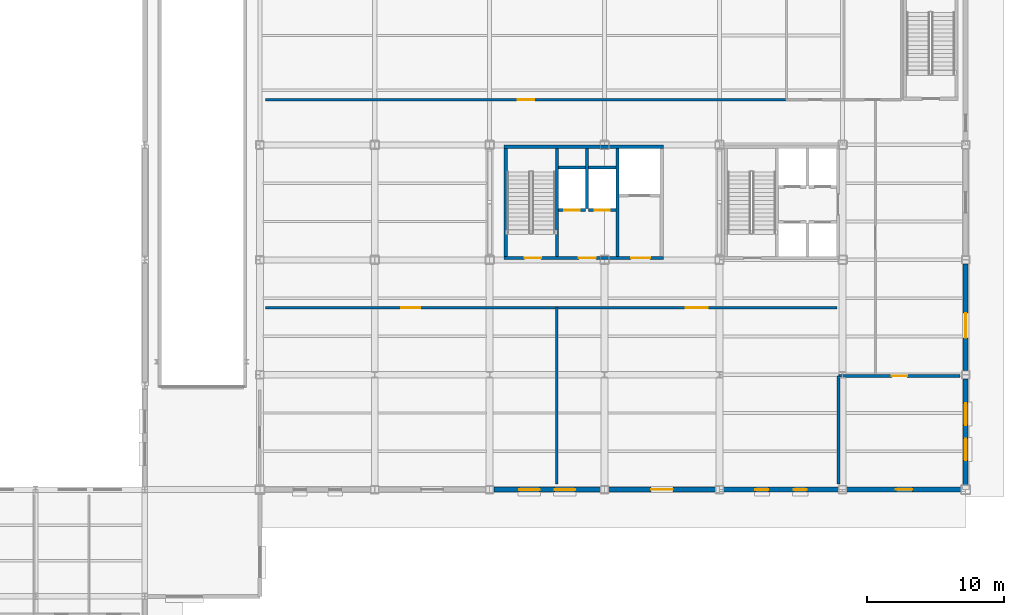
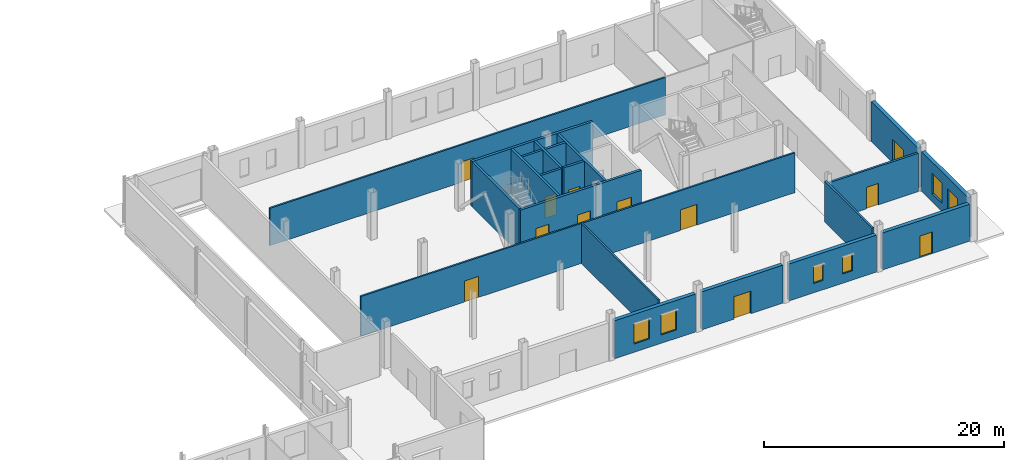
# One storey, part 58 of 82: 22 walls, 12 doors, 6 windows, 18 openings.
"""IFC4 building model written with IfcOpenShell, lengths in metres."""

from ifc_helpers import new_model, si_unit, direction, frame, frame_2d, origin, place, context, subcontext, project, spatial, rectangle, extrude, material, layer, layer_set, type_object, element, fill, save


model = new_model("IFC4")

# Units and contexts
model_context = context("Model", 3, precision=1e-05, world=origin(), true_north=direction((0.0, 1.0)))
body_context = subcontext(model_context, "Body", "Model", "MODEL_VIEW")
ifc_project = project(units=[si_unit("LENGTHUNIT", "METRE"), si_unit("AREAUNIT", "SQUARE_METRE"), si_unit("VOLUMEUNIT", "CUBIC_METRE"), si_unit("PLANEANGLEUNIT", "RADIAN"), si_unit("MASSUNIT", "GRAM", prefix="KILO")], contexts=[model_context])

# Site, building, storey
site_placement = place(None, origin())
site = spatial("IfcSite", under=ifc_project, at=site_placement, CompositionType="ELEMENT")
building_placement = place(site_placement, origin())
building = spatial("IfcBuilding", under=site, at=building_placement, Name="Yukiwa Park Conservatory and Herbarium", CompositionType="ELEMENT")
storey_placement = place(building_placement, origin())
storey = spatial("IfcBuildingStorey", under=building, at=storey_placement, Name="L00", CompositionType="ELEMENT", Elevation=0.0)

# Walls
ifc_material_1 = material(Name="Concrete C40", Category="concrete")
ifc_layer_1 = layer(ifc_material_1, 0.219970703125)
ifc_layer_set_1 = layer_set([ifc_layer_1], Name="Concrete C40")
wall_type_1 = type_object("IfcWallType", Name="WL-CORE-RC220", PredefinedType="SHEAR", material=ifc_layer_set_1)
wall_1_placement = place(storey_placement, frame((138.110107421875, 95.050048828125, 0.0), z_axis=(0.0, 0.0, 1.0), x_axis=(0.0, 1.0, 0.0)))
element("IfcWall", 1, at=wall_1_placement, inside=storey, type_object=wall_type_1, Name="L00 core shear wall 73", PredefinedType="SHEAR", context=body_context, shape_type="SweptSolid", body=[
    extrude(rectangle(XDim=7.89990234375, YDim=0.219970703125, at=frame_2d((3.949951171875, 0.0))), origin(), (0.0, 0.0, 1.0), 4.56005859375),
])
wall_2_placement = place(storey_placement, frame((140.330078125, 98.5400390625, 0.0), z_axis=(0.0, 0.0, 1.0), x_axis=(0.0, 1.0, 0.0)))
element("IfcWall", 2, at=wall_2_placement, inside=storey, type_object=wall_type_1, Name="L00 core shear wall 74", PredefinedType="SHEAR", context=body_context, shape_type="SweptSolid", body=[
    extrude(rectangle(XDim=4.409912109375, YDim=0.219970703125, at=frame_2d((2.205078125, 0.0))), origin(), (0.0, 0.0, 1.0), 4.56005859375),
])
wall_3_placement = place(storey_placement, frame((142.550048828125, 95.050048828125, 0.0), z_axis=(0.0, 0.0, 1.0), x_axis=(0.0, 1.0, 0.0)))
element("IfcWall", 3, at=wall_3_placement, inside=storey, type_object=wall_type_1, Name="L00 core shear wall 75", PredefinedType="SHEAR", context=body_context, shape_type="SweptSolid", body=[
    extrude(rectangle(XDim=7.89990234375, YDim=0.219970703125, at=frame_2d((3.949951171875, 0.0))), origin(), (0.0, 0.0, 1.0), 4.56005859375),
])

# Wall, opening, door
wall_4_placement = place(storey_placement, frame((138.219970703125, 98.429931640625, 0.0), z_axis=(0.0, 0.0, 1.0), x_axis=(1.0, 0.0, 0.0)))
wall_4 = element("IfcWall", 4, at=wall_4_placement, inside=storey, type_object=wall_type_1, Name="L00 core shear wall 77", PredefinedType="SHEAR", context=body_context, shape_type="SweptSolid", body=[
    extrude(rectangle(XDim=2.0, YDim=0.219970703125, at=frame_2d((1.0, 0.0))), origin(), (0.0, 0.0, 1.0), 4.56005859375),
])
opening_1_placement = place(wall_4_placement, frame((0.449951171875, 0.0, 0.0)))
opening_1 = element("IfcOpeningElement", 5, at=opening_1_placement, cuts=wall_4, Name="Opening LD-01", PredefinedType="OPENING", context=body_context, shape_type="SweptSolid", body=[
    extrude(rectangle(XDim=1.10009765625, YDim=2.14990234375, at=frame_2d((0.550048828125, 1.074951171875))), frame((0.0, 0.1201171875, 0.0), z_axis=(0.0, -1.0, 0.0), x_axis=(1.0, 0.0, 0.0)), (0.0, 0.0, 1.0), 0.239990234375),
])
ifc_material_2 = material(Name="Steel Q235B", Category="steel")
door_type_1 = type_object("IfcDoorType", Name="DR-LIFT-LD1100", OperationType="SLIDING_TO_LEFT", PredefinedType="DOOR", material=ifc_material_2)
door_1_placement = place(opening_1_placement, origin())
door_1 = element("IfcDoor", 6, at=door_1_placement, inside=storey, type_object=door_type_1, Name="L00 Firefighting Lift FL1 sliding landing door", OperationType="SLIDING_TO_LEFT", OverallHeight=2.14990234375, OverallWidth=1.10009765625, PredefinedType="DOOR", context=body_context, shape_type="SweptSolid", body=[
    extrude(rectangle(XDim=1.10009765625, YDim=2.14990234375, at=frame_2d((0.550048828125, 1.074951171875))), frame((0.0, 0.02490234375, 0.0), z_axis=(0.0, -1.0, 0.0), x_axis=(1.0, 0.0, 0.0)), (0.0, 0.0, 1.0), 0.050048828125),
])
fill(opening_1, door_1)

wall_5_placement = place(storey_placement, frame((140.43994140625, 98.429931640625, 0.0), z_axis=(0.0, 0.0, 1.0), x_axis=(1.0, 0.0, 0.0)))
wall_5 = element("IfcWall", 7, at=wall_5_placement, inside=storey, type_object=wall_type_1, Name="L00 core shear wall 78", PredefinedType="SHEAR", context=body_context, shape_type="SweptSolid", body=[
    extrude(rectangle(XDim=2.0, YDim=0.219970703125, at=frame_2d((1.0, 0.0))), origin(), (0.0, 0.0, 1.0), 4.56005859375),
])
opening_2_placement = place(wall_5_placement, frame((0.449951171875, 0.0, 0.0)))
opening_2 = element("IfcOpeningElement", 8, at=opening_2_placement, cuts=wall_5, Name="Opening LD-01", PredefinedType="OPENING", context=body_context, shape_type="SweptSolid", body=[
    extrude(rectangle(XDim=1.10009765625, YDim=2.14990234375, at=frame_2d((0.550048828125, 1.074951171875))), frame((0.0, 0.1201171875, 0.0), z_axis=(0.0, -1.0, 0.0), x_axis=(1.0, 0.0, 0.0)), (0.0, 0.0, 1.0), 0.239990234375),
])
door_2_placement = place(opening_2_placement, origin())
door_2 = element("IfcDoor", 9, at=door_2_placement, inside=storey, type_object=door_type_1, Name="L00 Firefighting Lift FL2 sliding landing door", OperationType="SLIDING_TO_LEFT", OverallHeight=2.14990234375, OverallWidth=1.10009765625, PredefinedType="DOOR", context=body_context, shape_type="SweptSolid", body=[
    extrude(rectangle(XDim=1.10009765625, YDim=2.14990234375, at=frame_2d((0.550048828125, 1.074951171875))), frame((0.0, 0.02490234375, 0.0), z_axis=(0.0, -1.0, 0.0), x_axis=(1.0, 0.0, 0.0)), (0.0, 0.0, 1.0), 0.050048828125),
])
fill(opening_2, door_2)

# Walls
for number, where, z_axis, x_axis, name in (
    (10, (138.219970703125, 101.550048828125, 0.0), (0.0, 0.0, 1.0), (1.0, 0.0, 0.0), "L00 core shear wall 79"),
    (11, (140.43994140625, 101.550048828125, 0.0), (0.0, 0.0, 1.0), (1.0, 0.0, 0.0), "L00 core shear wall 80"),
):
    element("IfcWall", number, at=place(storey_placement, frame(where, z_axis=z_axis, x_axis=x_axis)), inside=storey, type_object=wall_type_1, Name=name, PredefinedType="SHEAR", context=body_context, shape_type="SweptSolid", body=[
        extrude(rectangle(XDim=2.0, YDim=0.219970703125, at=frame_2d((1.0, 0.0))), origin(), (0.0, 0.0, 1.0), 4.56005859375),
    ])

# Wall, openings, doors
ifc_material_3 = material(Name="Concrete C50", Category="concrete")
ifc_layer_2 = layer(ifc_material_3, 0.239990234375)
ifc_layer_set_2 = layer_set([ifc_layer_2], Name="Concrete C50")
wall_type_2 = type_object("IfcWallType", Name="WL-CORE-RC240", PredefinedType="SHEAR", material=ifc_layer_set_2)
wall_6_placement = place(storey_placement, frame((134.25, 94.929931640625, 0.0), z_axis=(0.0, 0.0, 1.0), x_axis=(1.0, 0.0, 0.0)))
wall_6 = element("IfcWall", 12, at=wall_6_placement, inside=storey, type_object=wall_type_2, Name="L00 core shear wall 70", PredefinedType="SHEAR", context=body_context, shape_type="SweptSolid", body=[
    extrude(rectangle(XDim=11.64990234375, YDim=0.239990234375, at=frame_2d((5.824951171875, 0.0))), origin(), (0.0, 0.0, 1.0), 4.56005859375),
])
opening_3_placement = place(wall_6_placement, frame((1.5, 0.0, 0.0)))
opening_3 = element("IfcOpeningElement", 13, at=opening_3_placement, cuts=wall_6, Name="Opening SD-01", PredefinedType="OPENING", context=body_context, shape_type="SweptSolid", body=[
    extrude(rectangle(XDim=1.219970703125, YDim=2.179931640625, at=frame_2d((0.60986328125, 1.08984375))), frame((0.0, 0.1298828125, 0.0), z_axis=(0.0, -1.0, 0.0), x_axis=(1.0, 0.0, 0.0)), (0.0, 0.0, 1.0), 0.260009765625),
])
opening_4_placement = place(wall_6_placement, frame((5.47998046875, 0.0, 0.0)))
opening_4 = element("IfcOpeningElement", 14, at=opening_4_placement, cuts=wall_6, Name="Opening FD-02", PredefinedType="OPENING", context=body_context, shape_type="SweptSolid", body=[
    extrude(rectangle(XDim=1.239990234375, YDim=2.14990234375, at=frame_2d((0.6201171875, 1.074951171875))), frame((0.0, 0.1298828125, 0.0), z_axis=(0.0, -1.0, 0.0), x_axis=(1.0, 0.0, 0.0)), (0.0, 0.0, 1.0), 0.260009765625),
])
opening_5_placement = place(wall_6_placement, frame((9.300048828125, 0.0, 0.0)))
opening_5 = element("IfcOpeningElement", 15, at=opening_5_placement, cuts=wall_6, Name="Opening FD-06", PredefinedType="OPENING", context=body_context, shape_type="SweptSolid", body=[
    extrude(rectangle(XDim=1.3798828125, YDim=2.14990234375, at=frame_2d((0.68994140625, 1.074951171875))), frame((0.0, 0.1298828125, 0.0), z_axis=(0.0, -1.0, 0.0), x_axis=(1.0, 0.0, 0.0)), (0.0, 0.0, 1.0), 0.260009765625),
])
ifc_material_4 = material(Name="Steel Q235B", Category="steel")
door_type_2 = type_object("IfcDoorType", Name="DR-FIRE-FD60-1400", OperationType="DOUBLE_DOOR_SINGLE_SWING", PredefinedType="DOOR", material=ifc_material_4)
door_3_placement = place(opening_5_placement, frame((1.3798828125, 0.0, 0.0), z_axis=(0.0, 0.0, 1.0), x_axis=(-1.0, 0.0, 0.0)))
door_3 = element("IfcDoor", 16, at=door_3_placement, inside=storey, type_object=door_type_2, Name="L00 Goods Lift Lobby double fire door", OperationType="DOUBLE_DOOR_SINGLE_SWING", OverallHeight=2.14990234375, OverallWidth=1.3798828125, PredefinedType="DOOR", context=body_context, shape_type="SweptSolid", body=[
    extrude(rectangle(XDim=1.3798828125, YDim=2.14990234375, at=frame_2d((0.68994140625, 1.074951171875))), frame((0.0, 0.02490234375, 0.0), z_axis=(0.0, -1.0, 0.0), x_axis=(1.0, 0.0, 0.0)), (0.0, 0.0, 1.0), 0.050048828125),
])
fill(opening_5, door_3)
ifc_material_5 = material(Name="Steel Q235B", Category="steel")
door_type_3 = type_object("IfcDoorType", Name="DR-FIRE-FD90-1200", OperationType="SINGLE_SWING_RIGHT", PredefinedType="DOOR", material=ifc_material_5)
door_4_placement = place(opening_4_placement, frame((1.239990234375, 0.0, 0.0), z_axis=(0.0, 0.0, 1.0), x_axis=(-1.0, 0.0, 0.0)))
door_4 = element("IfcDoor", 17, at=door_4_placement, inside=storey, type_object=door_type_3, Name="L00 Firefighting Lift Lobby fire door", OperationType="SINGLE_SWING_RIGHT", OverallHeight=2.14990234375, OverallWidth=1.239990234375, PredefinedType="DOOR", context=body_context, shape_type="SweptSolid", body=[
    extrude(rectangle(XDim=1.239990234375, YDim=2.14990234375, at=frame_2d((0.6201171875, 1.074951171875))), frame((0.0, 0.02490234375, 0.0), z_axis=(0.0, -1.0, 0.0), x_axis=(1.0, 0.0, 0.0)), (0.0, 0.0, 1.0), 0.050048828125),
])
fill(opening_4, door_4)
ifc_material_6 = material(Name="Steel Q235B", Category="steel")
door_type_4 = type_object("IfcDoorType", Name="DR-STAIR-FD90-1200", OperationType="SINGLE_SWING_LEFT", PredefinedType="DOOR", material=ifc_material_6)
door_5_placement = place(opening_3_placement, origin())
door_5 = element("IfcDoor", 18, at=door_5_placement, inside=storey, type_object=door_type_4, Name="L00 Stairwell ST-T1 fire door", OperationType="SINGLE_SWING_LEFT", OverallHeight=2.179931640625, OverallWidth=1.219970703125, PredefinedType="DOOR", context=body_context, shape_type="SweptSolid", body=[
    extrude(rectangle(XDim=1.219970703125, YDim=2.179931640625, at=frame_2d((0.60986328125, 1.08984375))), frame((0.0, 0.02490234375, 0.0), z_axis=(0.0, -1.0, 0.0), x_axis=(1.0, 0.0, 0.0)), (0.0, 0.0, 1.0), 0.050048828125),
])
fill(opening_3, door_5)

# Walls
wall_7_placement = place(storey_placement, frame((134.25, 103.070068359375, 0.0), z_axis=(0.0, 0.0, 1.0), x_axis=(1.0, 0.0, 0.0)))
element("IfcWall", 19, at=wall_7_placement, inside=storey, type_object=wall_type_2, Name="L00 core shear wall 71", PredefinedType="SHEAR", context=body_context, shape_type="SweptSolid", body=[
    extrude(rectangle(XDim=11.64990234375, YDim=0.239990234375, at=frame_2d((5.824951171875, 0.0))), origin(), (0.0, 0.0, 1.0), 4.56005859375),
])
wall_8_placement = place(storey_placement, frame((134.3701171875, 95.050048828125, 0.0), z_axis=(0.0, 0.0, 1.0), x_axis=(0.0, 1.0, 0.0)))
element("IfcWall", 20, at=wall_8_placement, inside=storey, type_object=wall_type_2, Name="L00 core shear wall 72", PredefinedType="SHEAR", context=body_context, shape_type="SweptSolid", body=[
    extrude(rectangle(XDim=7.89990234375, YDim=0.239990234375, at=frame_2d((3.949951171875, 0.0))), origin(), (0.0, 0.0, 1.0), 4.56005859375),
])

# Wall, openings, windows
ifc_material_7 = material(Name="Pale Granite Cladding", Category="masonry")
ifc_layer_3 = layer(ifc_material_7, 0.360107421875)
ifc_layer_set_3 = layer_set([ifc_layer_3], Name="Pale Granite Cladding")
wall_type_3 = type_object("IfcWallType", Name="WL-EXT-PLINTH-360", PredefinedType="SOLIDWALL", material=ifc_layer_set_3)
wall_9_placement = place(storey_placement, frame((133.5, 78.0, 0.0), z_axis=(0.0, 0.0, 1.0), x_axis=(1.0, 0.0, 0.0)))
wall_9 = element("IfcWall", 21, at=wall_9_placement, inside=storey, type_object=wall_type_3, Name="L00 exterior envelope wall 103", PredefinedType="SOLIDWALL", context=body_context, shape_type="SweptSolid", body=[
    extrude(rectangle(XDim=7.800048828125, YDim=0.360107421875, at=frame_2d((3.89990234375, 0.0))), origin(), (0.0, 0.0, 1.0), 3.867919921875),
])
opening_6_placement = place(wall_9_placement, frame((1.85009765625, 0.0, 0.85009765625)))
opening_6 = element("IfcOpeningElement", 22, at=opening_6_placement, cuts=wall_9, Name="Opening W-05", PredefinedType="OPENING", context=body_context, shape_type="SweptSolid", body=[
    extrude(rectangle(XDim=1.5, YDim=2.10009765625, at=frame_2d((0.75, 1.050048828125))), frame((0.0, 0.18994140625, 0.0), z_axis=(0.0, -1.0, 0.0), x_axis=(1.0, 0.0, 0.0)), (0.0, 0.0, 1.0), 0.380126953125),
])
opening_7_placement = place(wall_9_placement, frame((4.449951171875, 0.0, 0.85009765625)))
opening_7 = element("IfcOpeningElement", 23, at=opening_7_placement, cuts=wall_9, Name="Opening W-05", PredefinedType="OPENING", context=body_context, shape_type="SweptSolid", body=[
    extrude(rectangle(XDim=1.5, YDim=2.10009765625, at=frame_2d((0.75, 1.050048828125))), frame((0.0, 0.18994140625, 0.0), z_axis=(0.0, -1.0, 0.0), x_axis=(1.0, 0.0, 0.0)), (0.0, 0.0, 1.0), 0.380126953125),
])
ifc_material_8 = material(Name="Triple Low-E Insulated Glass", Category="glass")
window_type_1 = type_object("IfcWindowType", Name="WN-TW-1500X2100", PartitioningType="SINGLE_PANEL", PredefinedType="WINDOW", material=ifc_material_8)
window_1_placement = place(opening_6_placement, origin())
window_1 = element("IfcWindow", 24, at=window_1_placement, inside=storey, type_object=window_type_1, Name="L00 deep-reveal triple-glazed window 7", OverallHeight=2.10009765625, OverallWidth=1.5, PartitioningType="SINGLE_PANEL", PredefinedType="WINDOW", context=body_context, shape_type="SweptSolid", body=[
    extrude(rectangle(XDim=1.5, YDim=2.10009765625, at=frame_2d((0.75, 1.050048828125))), frame((0.0, 0.030029296875, 0.0), z_axis=(0.0, -1.0, 0.0), x_axis=(1.0, 0.0, 0.0)), (0.0, 0.0, 1.0), 0.06005859375),
])
fill(opening_6, window_1)
window_2_placement = place(opening_7_placement, origin())
window_2 = element("IfcWindow", 25, at=window_2_placement, inside=storey, type_object=window_type_1, Name="L00 deep-reveal triple-glazed window 8", OverallHeight=2.10009765625, OverallWidth=1.5, PartitioningType="SINGLE_PANEL", PredefinedType="WINDOW", context=body_context, shape_type="SweptSolid", body=[
    extrude(rectangle(XDim=1.5, YDim=2.10009765625, at=frame_2d((0.75, 1.050048828125))), frame((0.0, 0.030029296875, 0.0), z_axis=(0.0, -1.0, 0.0), x_axis=(1.0, 0.0, 0.0)), (0.0, 0.0, 1.0), 0.06005859375),
])
fill(opening_7, window_2)

# Wall, opening, door
wall_10_placement = place(storey_placement, frame((141.89990234375, 78.0, 0.0), z_axis=(0.0, 0.0, 1.0), x_axis=(1.0, 0.0, 0.0)))
wall_10 = element("IfcWall", 26, at=wall_10_placement, inside=storey, type_object=wall_type_3, Name="L00 exterior envelope wall 104", PredefinedType="SOLIDWALL", context=body_context, shape_type="SweptSolid", body=[
    extrude(rectangle(XDim=7.800048828125, YDim=0.360107421875, at=frame_2d((3.89990234375, 0.0))), origin(), (0.0, 0.0, 1.0), 3.867919921875),
])
opening_8_placement = place(wall_10_placement, frame((3.10009765625, 0.0, 0.0)))
opening_8 = element("IfcOpeningElement", 27, at=opening_8_placement, cuts=wall_10, Name="Opening EX-D2", PredefinedType="OPENING", context=body_context, shape_type="SweptSolid", body=[
    extrude(rectangle(XDim=1.60009765625, YDim=2.300048828125, at=frame_2d((0.800048828125, 1.14990234375))), frame((0.0, 0.18994140625, 0.0), z_axis=(0.0, -1.0, 0.0), x_axis=(1.0, 0.0, 0.0)), (0.0, 0.0, 1.0), 0.380126953125),
])
ifc_material_9 = material(Name="Anodised Aluminium", Category="aluminium")
door_type_5 = type_object("IfcDoorType", Name="DR-EXT-1600X2300", OperationType="DOUBLE_DOOR_SINGLE_SWING", PredefinedType="DOOR", material=ifc_material_9)
door_6_placement = place(opening_8_placement, frame((1.60009765625, 0.0, 0.0), z_axis=(0.0, 0.0, 1.0), x_axis=(-1.0, 0.0, 0.0)))
door_6 = element("IfcDoor", 28, at=door_6_placement, inside=storey, type_object=door_type_5, Name="Botanical Cafe South terrace entrance EX-20", OperationType="DOUBLE_DOOR_SINGLE_SWING", OverallHeight=2.300048828125, OverallWidth=1.60009765625, PredefinedType="DOOR", context=body_context, shape_type="SweptSolid", body=[
    extrude(rectangle(XDim=1.60009765625, YDim=2.300048828125, at=frame_2d((0.800048828125, 1.14990234375))), frame((0.0, 0.02490234375, 0.0), z_axis=(0.0, -1.0, 0.0), x_axis=(1.0, 0.0, 0.0)), (0.0, 0.0, 1.0), 0.050048828125),
])
fill(opening_8, door_6)

# Wall, openings, windows
wall_11_placement = place(storey_placement, frame((150.300048828125, 78.0, 0.0), z_axis=(0.0, 0.0, 1.0), x_axis=(1.0, 0.0, 0.0)))
wall_11 = element("IfcWall", 29, at=wall_11_placement, inside=storey, type_object=wall_type_3, Name="L00 exterior envelope wall 105", PredefinedType="SOLIDWALL", context=body_context, shape_type="SweptSolid", body=[
    extrude(rectangle(XDim=8.39990234375, YDim=0.360107421875, at=frame_2d((4.199951171875, 0.0))), origin(), (0.0, 0.0, 1.0), 3.76806640625),
])
opening_9_placement = place(wall_11_placement, frame((2.324951171875, 0.0, 0.949951171875)))
opening_9 = element("IfcOpeningElement", 30, at=opening_9_placement, cuts=wall_11, Name="Opening W-21", PredefinedType="OPENING", context=body_context, shape_type="SweptSolid", body=[
    extrude(rectangle(XDim=0.949951171875, YDim=1.75, at=frame_2d((0.47509765625, 0.875))), frame((0.0, 0.18994140625, 0.0), z_axis=(0.0, -1.0, 0.0), x_axis=(1.0, 0.0, 0.0)), (0.0, 0.0, 1.0), 0.380126953125),
])
opening_10_placement = place(wall_11_placement, frame((5.125, 0.0, 0.949951171875)))
opening_10 = element("IfcOpeningElement", 31, at=opening_10_placement, cuts=wall_11, Name="Opening W-21", PredefinedType="OPENING", context=body_context, shape_type="SweptSolid", body=[
    extrude(rectangle(XDim=0.949951171875, YDim=1.75, at=frame_2d((0.47509765625, 0.875))), frame((0.0, 0.18994140625, 0.0), z_axis=(0.0, -1.0, 0.0), x_axis=(1.0, 0.0, 0.0)), (0.0, 0.0, 1.0), 0.380126953125),
])
ifc_material_10 = material(Name="Triple Low-E Insulated Glass", Category="glass")
window_type_2 = type_object("IfcWindowType", Name="WN-TW-0950X1750", PartitioningType="SINGLE_PANEL", PredefinedType="WINDOW", material=ifc_material_10)
window_3_placement = place(opening_9_placement, origin())
window_3 = element("IfcWindow", 32, at=window_3_placement, inside=storey, type_object=window_type_2, Name="L00 deep-reveal triple-glazed window 9", OverallHeight=1.75, OverallWidth=0.949951171875, PartitioningType="SINGLE_PANEL", PredefinedType="WINDOW", context=body_context, shape_type="SweptSolid", body=[
    extrude(rectangle(XDim=0.949951171875, YDim=1.75, at=frame_2d((0.47509765625, 0.875))), frame((0.0, 0.030029296875, 0.0), z_axis=(0.0, -1.0, 0.0), x_axis=(1.0, 0.0, 0.0)), (0.0, 0.0, 1.0), 0.06005859375),
])
fill(opening_9, window_3)
window_4_placement = place(opening_10_placement, origin())
window_4 = element("IfcWindow", 33, at=window_4_placement, inside=storey, type_object=window_type_2, Name="L00 deep-reveal triple-glazed window 10", OverallHeight=1.75, OverallWidth=0.949951171875, PartitioningType="SINGLE_PANEL", PredefinedType="WINDOW", context=body_context, shape_type="SweptSolid", body=[
    extrude(rectangle(XDim=0.949951171875, YDim=1.75, at=frame_2d((0.47509765625, 0.875))), frame((0.0, 0.030029296875, 0.0), z_axis=(0.0, -1.0, 0.0), x_axis=(1.0, 0.0, 0.0)), (0.0, 0.0, 1.0), 0.06005859375),
])
fill(opening_10, window_4)

# Wall, opening, door
wall_12_placement = place(storey_placement, frame((159.300048828125, 78.0, 0.0), z_axis=(0.0, 0.0, 1.0), x_axis=(1.0, 0.0, 0.0)))
wall_12 = element("IfcWall", 34, at=wall_12_placement, inside=storey, type_object=wall_type_3, Name="L00 exterior envelope wall 106", PredefinedType="SOLIDWALL", context=body_context, shape_type="SweptSolid", body=[
    extrude(rectangle(XDim=8.349853515625, YDim=0.360107421875, at=frame_2d((4.1748046875, 0.0))), origin(), (0.0, 0.0, 1.0), 3.76806640625),
])
opening_11_placement = place(wall_12_placement, frame((3.60009765625, 0.0, 0.0)))
opening_11 = element("IfcOpeningElement", 35, at=opening_11_placement, cuts=wall_12, Name="Opening EX-D4", PredefinedType="OPENING", context=body_context, shape_type="SweptSolid", body=[
    extrude(rectangle(XDim=1.199951171875, YDim=2.199951171875, at=frame_2d((0.60009765625, 1.10009765625))), frame((0.0, 0.18994140625, 0.0), z_axis=(0.0, -1.0, 0.0), x_axis=(1.0, 0.0, 0.0)), (0.0, 0.0, 1.0), 0.380126953125),
])
ifc_material_11 = material(Name="Steel Q235B", Category="steel")
door_type_6 = type_object("IfcDoorType", Name="DR-EXT-1200X2200", OperationType="SINGLE_SWING_LEFT", PredefinedType="DOOR", material=ifc_material_11)
door_7_placement = place(opening_11_placement, frame((1.199951171875, 0.0, 0.0), z_axis=(0.0, 0.0, 1.0), x_axis=(-1.0, 0.0, 0.0)))
door_7 = element("IfcDoor", 36, at=door_7_placement, inside=storey, type_object=door_type_6, Name="Fire Command Centre direct exterior exit EX-21", OperationType="SINGLE_SWING_LEFT", OverallHeight=2.199951171875, OverallWidth=1.199951171875, PredefinedType="DOOR", context=body_context, shape_type="SweptSolid", body=[
    extrude(rectangle(XDim=1.199951171875, YDim=2.199951171875, at=frame_2d((0.60009765625, 1.10009765625))), frame((0.0, 0.02490234375, 0.0), z_axis=(0.0, -1.0, 0.0), x_axis=(1.0, 0.0, 0.0)), (0.0, 0.0, 1.0), 0.050048828125),
])
fill(opening_11, door_7)

# Wall, openings, windows
wall_13_placement = place(storey_placement, frame((168.0, 78.35009765625, 0.0), z_axis=(0.0, 0.0, 1.0), x_axis=(0.0, 1.0, 0.0)))
wall_13 = element("IfcWall", 37, at=wall_13_placement, inside=storey, type_object=wall_type_3, Name="L00 exterior envelope wall 107", PredefinedType="SOLIDWALL", context=body_context, shape_type="SweptSolid", body=[
    extrude(rectangle(XDim=7.75, YDim=0.360107421875, at=frame_2d((3.875, 0.0))), origin(), (0.0, 0.0, 1.0), 4.06005859375),
])
opening_12_placement = place(wall_13_placement, frame((1.782958984375, 0.0, 0.85009765625)))
opening_12 = element("IfcOpeningElement", 38, at=opening_12_placement, cuts=wall_13, Name="Opening W-24", PredefinedType="OPENING", context=body_context, shape_type="SweptSolid", body=[
    extrude(rectangle(XDim=1.60009765625, YDim=2.050048828125, at=frame_2d((0.800048828125, 1.02490234375))), frame((0.0, 0.18994140625, 0.0), z_axis=(0.0, -1.0, 0.0), x_axis=(1.0, 0.0, 0.0)), (0.0, 0.0, 1.0), 0.380126953125),
])
opening_13_placement = place(wall_13_placement, frame((4.366943359375, 0.0, 0.85009765625)))
opening_13 = element("IfcOpeningElement", 39, at=opening_13_placement, cuts=wall_13, Name="Opening W-24", PredefinedType="OPENING", context=body_context, shape_type="SweptSolid", body=[
    extrude(rectangle(XDim=1.60009765625, YDim=2.050048828125, at=frame_2d((0.800048828125, 1.02490234375))), frame((0.0, 0.18994140625, 0.0), z_axis=(0.0, -1.0, 0.0), x_axis=(1.0, 0.0, 0.0)), (0.0, 0.0, 1.0), 0.380126953125),
])
ifc_material_12 = material(Name="Triple Low-E Insulated Glass", Category="glass")
window_type_3 = type_object("IfcWindowType", Name="WN-TW-1600X2050", PartitioningType="SINGLE_PANEL", PredefinedType="WINDOW", material=ifc_material_12)
window_5_placement = place(opening_12_placement, origin())
window_5 = element("IfcWindow", 40, at=window_5_placement, inside=storey, type_object=window_type_3, Name="L00 deep-reveal triple-glazed window 11", OverallHeight=2.050048828125, OverallWidth=1.60009765625, PartitioningType="SINGLE_PANEL", PredefinedType="WINDOW", context=body_context, shape_type="SweptSolid", body=[
    extrude(rectangle(XDim=1.60009765625, YDim=2.050048828125, at=frame_2d((0.800048828125, 1.02490234375))), frame((0.0, 0.030029296875, 0.0), z_axis=(0.0, -1.0, 0.0), x_axis=(1.0, 0.0, 0.0)), (0.0, 0.0, 1.0), 0.06005859375),
])
fill(opening_12, window_5)
window_6_placement = place(opening_13_placement, origin())
window_6 = element("IfcWindow", 41, at=window_6_placement, inside=storey, type_object=window_type_3, Name="L00 deep-reveal triple-glazed window 12", OverallHeight=2.050048828125, OverallWidth=1.60009765625, PartitioningType="SINGLE_PANEL", PredefinedType="WINDOW", context=body_context, shape_type="SweptSolid", body=[
    extrude(rectangle(XDim=1.60009765625, YDim=2.050048828125, at=frame_2d((0.800048828125, 1.02490234375))), frame((0.0, 0.030029296875, 0.0), z_axis=(0.0, -1.0, 0.0), x_axis=(1.0, 0.0, 0.0)), (0.0, 0.0, 1.0), 0.06005859375),
])
fill(opening_13, window_6)

# Wall, opening, door
wall_14_placement = place(storey_placement, frame((168.0, 86.699951171875, 0.0), z_axis=(0.0, 0.0, 1.0), x_axis=(0.0, 1.0, 0.0)))
wall_14 = element("IfcWall", 42, at=wall_14_placement, inside=storey, type_object=wall_type_3, Name="L00 exterior envelope wall 108", PredefinedType="SOLIDWALL", context=body_context, shape_type="SweptSolid", body=[
    extrude(rectangle(XDim=7.800048828125, YDim=0.360107421875, at=frame_2d((3.89990234375, 0.0))), origin(), (0.0, 0.0, 1.0), 4.06005859375),
])
opening_14_placement = place(wall_14_placement, frame((2.39990234375, 0.0, 0.0)))
opening_14 = element("IfcOpeningElement", 43, at=opening_14_placement, cuts=wall_14, Name="Opening EX-D1", PredefinedType="OPENING", context=body_context, shape_type="SweptSolid", body=[
    extrude(rectangle(XDim=1.800048828125, YDim=2.39990234375, at=frame_2d((0.89990234375, 1.199951171875))), frame((0.0, 0.18994140625, 0.0), z_axis=(0.0, -1.0, 0.0), x_axis=(1.0, 0.0, 0.0)), (0.0, 0.0, 1.0), 0.380126953125),
])
ifc_material_13 = material(Name="Anodised Aluminium", Category="aluminium")
door_type_7 = type_object("IfcDoorType", Name="DR-EXT-1800X2400", OperationType="DOUBLE_DOOR_SINGLE_SWING", PredefinedType="DOOR", material=ifc_material_13)
door_8_placement = place(opening_14_placement, frame((1.800048828125, 0.0, 0.0), z_axis=(0.0, 0.0, 1.0), x_axis=(-1.0, 0.0, 0.0)))
door_8 = element("IfcDoor", 44, at=door_8_placement, inside=storey, type_object=door_type_7, Name="Research Tower East street main entrance EX-22", OperationType="DOUBLE_DOOR_SINGLE_SWING", OverallHeight=2.39990234375, OverallWidth=1.800048828125, PredefinedType="DOOR", context=body_context, shape_type="SweptSolid", body=[
    extrude(rectangle(XDim=1.800048828125, YDim=2.39990234375, at=frame_2d((0.89990234375, 1.199951171875))), frame((0.0, 0.02490234375, 0.0), z_axis=(0.0, -1.0, 0.0), x_axis=(1.0, 0.0, 0.0)), (0.0, 0.0, 1.0), 0.050048828125),
])
fill(opening_14, door_8)

# Wall
ifc_material_14 = material(Name="Gypsum Board Partition", Category="gypsum")
ifc_layer_4 = layer(ifc_material_14, 0.199951171875)
ifc_layer_set_4 = layer_set([ifc_layer_4], Name="Gypsum Board Partition")
wall_type_4 = type_object("IfcWallType", Name="WL-PART-FIRE-200", PredefinedType="SOLIDWALL", material=ifc_layer_set_4)
wall_15_placement = place(storey_placement, frame((158.699951171875, 78.39990234375, 0.0), z_axis=(0.0, 0.0, 1.0), x_axis=(0.0, 1.0, 0.0)))
element("IfcWall", 45, at=wall_15_placement, inside=storey, type_object=wall_type_4, Name="L00 interior partition wall 155", PredefinedType="SOLIDWALL", context=body_context, shape_type="SweptSolid", body=[
    extrude(rectangle(XDim=7.900146484375, YDim=0.199951171875, at=frame_2d((3.9501953125, 0.0))), origin(), (0.0, 0.0, 1.0), 4.159912109375),
])

# Wall, opening, door
wall_16_placement = place(storey_placement, frame((158.699951171875, 86.300048828125, 0.0), z_axis=(0.0, 0.0, 1.0), x_axis=(1.0, 0.0, 0.0)))
wall_16 = element("IfcWall", 46, at=wall_16_placement, inside=storey, type_object=wall_type_4, Name="L00 interior partition wall 156", PredefinedType="SOLIDWALL", context=body_context, shape_type="SweptSolid", body=[
    extrude(rectangle(XDim=8.900146484375, YDim=0.199951171875, at=frame_2d((4.4501953125, 0.0))), origin(), (0.0, 0.0, 1.0), 3.909912109375),
])
opening_15_placement = place(wall_16_placement, frame((3.89990234375, 0.0, 0.0)))
opening_15 = element("IfcOpeningElement", 47, at=opening_15_placement, cuts=wall_16, Name="Opening FD-01", PredefinedType="OPENING", context=body_context, shape_type="SweptSolid", body=[
    extrude(rectangle(XDim=1.1201171875, YDim=2.179931640625, at=frame_2d((0.56005859375, 1.08984375))), frame((0.0, 0.10986328125, 0.0), z_axis=(0.0, -1.0, 0.0), x_axis=(1.0, 0.0, 0.0)), (0.0, 0.0, 1.0), 0.219970703125),
])
ifc_material_15 = material(Name="Steel Q235B", Category="steel")
door_type_8 = type_object("IfcDoorType", Name="DR-FIRE-FD90-1100", OperationType="SINGLE_SWING_LEFT", PredefinedType="DOOR", material=ifc_material_15)
door_9_placement = place(opening_15_placement, origin())
door_9 = element("IfcDoor", 48, at=door_9_placement, inside=storey, type_object=door_type_8, Name="L00 Fire Command Centre interior fire door", OperationType="SINGLE_SWING_LEFT", OverallHeight=2.179931640625, OverallWidth=1.1201171875, PredefinedType="DOOR", context=body_context, shape_type="SweptSolid", body=[
    extrude(rectangle(XDim=1.1201171875, YDim=2.179931640625, at=frame_2d((0.56005859375, 1.08984375))), frame((0.0, 0.02490234375, 0.0), z_axis=(0.0, -1.0, 0.0), x_axis=(1.0, 0.0, 0.0)), (0.0, 0.0, 1.0), 0.050048828125),
])
fill(opening_15, door_9)

ifc_material_16 = material(Name="Gypsum Board Partition", Category="gypsum")
ifc_layer_5 = layer(ifc_material_16, 0.159912109375)
ifc_layer_set_5 = layer_set([ifc_layer_5], Name="Gypsum Board Partition")
wall_type_5 = type_object("IfcWallType", Name="WL-PART-GYP-160", PredefinedType="PARTITIONING", material=ifc_layer_set_5)
wall_17_placement = place(storey_placement, frame((116.800048828125, 91.300048828125, 0.0), z_axis=(0.0, 0.0, 1.0), x_axis=(1.0, 0.0, 0.0)))
wall_17 = element("IfcWall", 49, at=wall_17_placement, inside=storey, type_object=wall_type_5, Name="L00 interior partition wall 152", PredefinedType="PARTITIONING", context=body_context, shape_type="SweptSolid", body=[
    extrude(rectangle(XDim=21.300048828125, YDim=0.159912109375, at=frame_2d((10.64990234375, 0.0))), origin(), (0.0, 0.0, 1.0), 4.06005859375),
])
opening_16_placement = place(wall_17_placement, frame((9.949951171875, 0.0, 0.0)))
opening_16 = element("IfcOpeningElement", 50, at=opening_16_placement, cuts=wall_17, Name="Opening FD-06", PredefinedType="OPENING", context=body_context, shape_type="SweptSolid", body=[
    extrude(rectangle(XDim=1.3798828125, YDim=2.14990234375, at=frame_2d((0.68994140625, 1.074951171875))), frame((0.0, 0.08984375, 0.0), z_axis=(0.0, -1.0, 0.0), x_axis=(1.0, 0.0, 0.0)), (0.0, 0.0, 1.0), 0.179931640625),
])
door_10_placement = place(opening_16_placement, origin())
door_10 = element("IfcDoor", 51, at=door_10_placement, inside=storey, type_object=door_type_2, Name="L00 Herbarium Reference Room door", OperationType="DOUBLE_DOOR_SINGLE_SWING", OverallHeight=2.14990234375, OverallWidth=1.3798828125, PredefinedType="DOOR", context=body_context, shape_type="SweptSolid", body=[
    extrude(rectangle(XDim=1.3798828125, YDim=2.14990234375, at=frame_2d((0.68994140625, 1.074951171875))), frame((0.0, 0.02490234375, 0.0), z_axis=(0.0, -1.0, 0.0), x_axis=(1.0, 0.0, 0.0)), (0.0, 0.0, 1.0), 0.050048828125),
])
fill(opening_16, door_10)

wall_18_placement = place(storey_placement, frame((138.10009765625, 91.300048828125, 0.0), z_axis=(0.0, 0.0, 1.0), x_axis=(1.0, 0.0, 0.0)))
wall_18 = element("IfcWall", 52, at=wall_18_placement, inside=storey, type_object=wall_type_5, Name="L00 interior partition wall 153", PredefinedType="PARTITIONING", context=body_context, shape_type="SweptSolid", body=[
    extrude(rectangle(XDim=20.5, YDim=0.159912109375, at=frame_2d((10.25, 0.0))), origin(), (0.0, 0.0, 1.0), 4.06005859375),
])
opening_17_placement = place(wall_18_placement, frame((9.449951171875, 0.0, 0.0)))
opening_17 = element("IfcOpeningElement", 53, at=opening_17_placement, cuts=wall_18, Name="Opening GD-16", PredefinedType="OPENING", context=body_context, shape_type="SweptSolid", body=[
    extrude(rectangle(XDim=1.60009765625, YDim=2.10009765625, at=frame_2d((0.800048828125, 1.050048828125))), frame((0.0, 0.08984375, 0.0), z_axis=(0.0, -1.0, 0.0), x_axis=(1.0, 0.0, 0.0)), (0.0, 0.0, 1.0), 0.179931640625),
])
ifc_material_17 = material(Name="Laminated Tempered Safety Glass", Category="glass")
door_type_9 = type_object("IfcDoorType", Name="DR-GLZ-1600", OperationType="DOUBLE_DOOR_SINGLE_SWING", PredefinedType="DOOR", material=ifc_material_17)
door_11_placement = place(opening_17_placement, origin())
door_11 = element("IfcDoor", 54, at=door_11_placement, inside=storey, type_object=door_type_9, Name="L00 Botanical Cafe entrance door", OperationType="DOUBLE_DOOR_SINGLE_SWING", OverallHeight=2.10009765625, OverallWidth=1.60009765625, PredefinedType="DOOR", context=body_context, shape_type="SweptSolid", body=[
    extrude(rectangle(XDim=1.60009765625, YDim=2.10009765625, at=frame_2d((0.800048828125, 1.050048828125))), frame((0.0, 0.02490234375, 0.0), z_axis=(0.0, -1.0, 0.0), x_axis=(1.0, 0.0, 0.0)), (0.0, 0.0, 1.0), 0.050048828125),
])
fill(opening_17, door_11)

# Wall
wall_19_placement = place(storey_placement, frame((138.10009765625, 78.39990234375, 0.0), z_axis=(0.0, 0.0, 1.0), x_axis=(0.0, 1.0, 0.0)))
element("IfcWall", 55, at=wall_19_placement, inside=storey, type_object=wall_type_5, Name="L00 interior partition wall 154", PredefinedType="PARTITIONING", context=body_context, shape_type="SweptSolid", body=[
    extrude(rectangle(XDim=12.900146484375, YDim=0.159912109375, at=frame_2d((6.4501953125, 0.0))), origin(), (0.0, 0.0, 1.0), 4.06005859375),
])

# Wall, opening, door
wall_20_placement = place(storey_placement, frame((116.800048828125, 106.5, 0.0), z_axis=(0.0, 0.0, 1.0), x_axis=(1.0, 0.0, 0.0)))
wall_20 = element("IfcWall", 56, at=wall_20_placement, inside=storey, type_object=wall_type_5, Name="L00 interior partition wall 158", PredefinedType="PARTITIONING", context=body_context, shape_type="SweptSolid", body=[
    extrude(rectangle(XDim=38.099853515625, YDim=0.159912109375, at=frame_2d((19.0498046875, 0.0))), origin(), (0.0, 0.0, 1.0), 3.81005859375),
])
opening_18_placement = place(wall_20_placement, frame((18.449951171875, 0.0, 0.0)))
opening_18 = element("IfcOpeningElement", 57, at=opening_18_placement, cuts=wall_20, Name="Opening ID-12", PredefinedType="OPENING", context=body_context, shape_type="SweptSolid", body=[
    extrude(rectangle(XDim=1.199951171875, YDim=2.080078125, at=frame_2d((0.60009765625, 1.0400390625))), frame((0.0, 0.08984375, 0.0), z_axis=(0.0, -1.0, 0.0), x_axis=(1.0, 0.0, 0.0)), (0.0, 0.0, 1.0), 0.179931640625),
])
ifc_material_18 = material(Name="Charred Larch Cladding", Category="wood")
door_type_10 = type_object("IfcDoorType", Name="DR-INT-1200", OperationType="SINGLE_SWING_LEFT", PredefinedType="DOOR", material=ifc_material_18)
door_12_placement = place(opening_18_placement, origin())
door_12 = element("IfcDoor", 58, at=door_12_placement, inside=storey, type_object=door_type_10, Name="L00 Decontamination lab door", OperationType="SINGLE_SWING_LEFT", OverallHeight=2.080078125, OverallWidth=1.199951171875, PredefinedType="DOOR", context=body_context, shape_type="SweptSolid", body=[
    extrude(rectangle(XDim=1.199951171875, YDim=2.080078125, at=frame_2d((0.60009765625, 1.0400390625))), frame((0.0, 0.02490234375, 0.0), z_axis=(0.0, -1.0, 0.0), x_axis=(1.0, 0.0, 0.0)), (0.0, 0.0, 1.0), 0.050048828125),
])
fill(opening_18, door_12)

save(model, "model.ifc")
